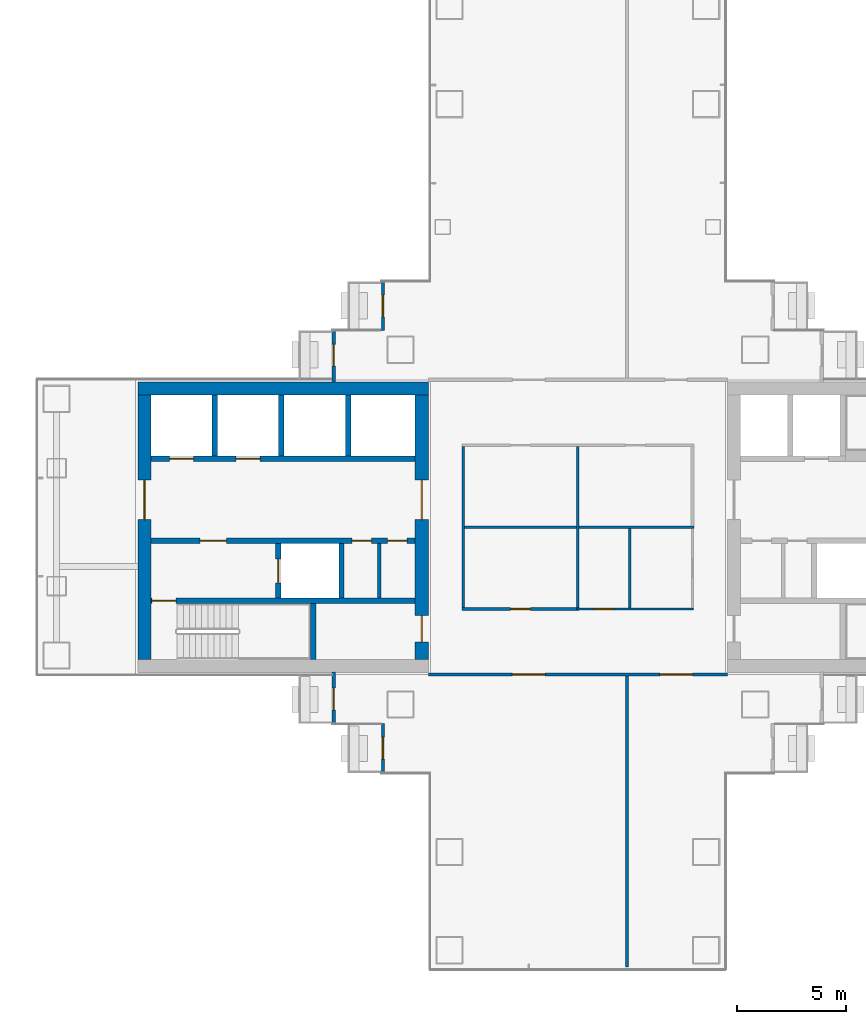
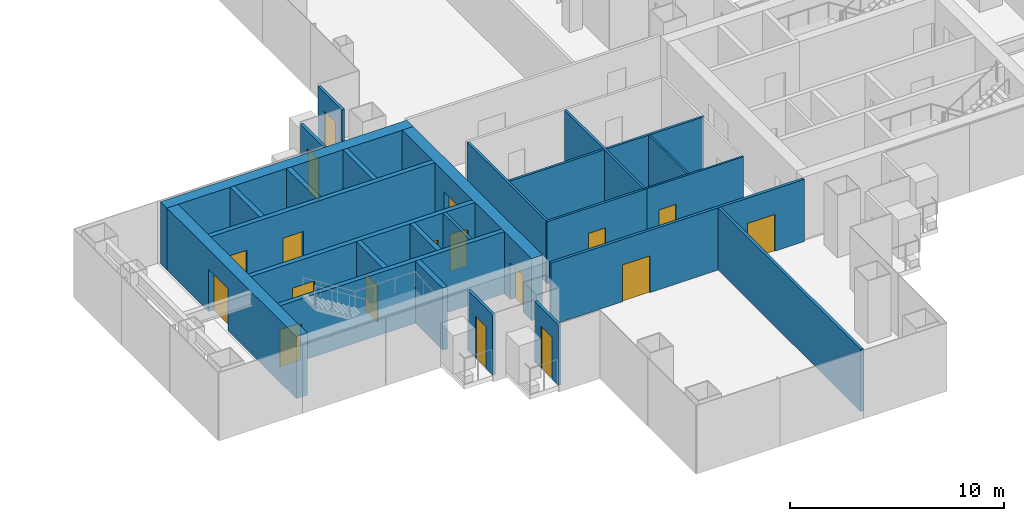
# One storey, part 13 of 19: 25 walls, 18 doors, 18 openings.
"""IFC4 building model written with IfcOpenShell, lengths in metres."""

from ifc_helpers import new_model, si_unit, direction, frame, frame_2d, origin, place, context, subcontext, project, spatial, rectangle, extrude, material, layer, layer_set, type_object, element, fill, save


model = new_model("IFC4")

# Units and contexts
model_context = context("Model", 3, precision=1e-05, world=origin(), true_north=direction((0.0, 1.0)))
body_context = subcontext(model_context, "Body", "Model", "MODEL_VIEW")
ifc_project = project(units=[si_unit("LENGTHUNIT", "METRE"), si_unit("AREAUNIT", "SQUARE_METRE"), si_unit("VOLUMEUNIT", "CUBIC_METRE"), si_unit("PLANEANGLEUNIT", "RADIAN"), si_unit("MASSUNIT", "GRAM", prefix="KILO")], contexts=[model_context])

# Site, building, storey
site_placement = place(None, origin())
site = spatial("IfcSite", under=ifc_project, at=site_placement, CompositionType="ELEMENT")
building_placement = place(site_placement, origin())
building = spatial("IfcBuilding", under=site, at=building_placement, Name="Shamsa Quay Exchange Towers", CompositionType="ELEMENT")
storey_placement = place(building_placement, frame((0.0, 0.0, 89.699951171875)))
storey = spatial("IfcBuildingStorey", under=building, at=storey_placement, Name="L20", CompositionType="ELEMENT", Elevation=89.699951171875)

# Wall, opening, door
ifc_material_1 = material(Name="Aluminium EN AW-6063 T6, black anodised, with black enamelled glass infill", Category="aluminium")
ifc_layer_1 = layer(ifc_material_1, 0.14990234375)
ifc_layer_set_1 = layer_set([ifc_layer_1], Name="BALCONY DOOR BAY WALL 150")
wall_type_1 = type_object("IfcWallType", Name="BALCONY DOOR BAY WALL 150", PredefinedType="SOLIDWALL", material=ifc_layer_set_1)
wall_1_placement = place(storey_placement, frame((24.824951171875, 9.0, 0.0), z_axis=(0.0, 0.0, 1.0), x_axis=(0.0, 1.0, 0.0)))
wall_1 = element("IfcWall", 1, at=wall_1_placement, inside=storey, type_object=wall_type_1, Name="Door bay T2-PKEN L20", PredefinedType="SOLIDWALL", context=body_context, shape_type="SweptSolid", body=[
    extrude(rectangle(XDim=2.25, YDim=0.14990234375, at=frame_2d((1.125, 0.0))), origin(), (0.0, 0.0, 1.0), 3.449951171875),
])
opening_1_placement = place(wall_1_placement, frame((0.625, 0.0, 0.0)))
opening_1 = element("IfcOpeningElement", 2, at=opening_1_placement, cuts=wall_1, Name="Opening XD121", PredefinedType="OPENING", context=body_context, shape_type="SweptSolid", body=[
    extrude(rectangle(XDim=1.0, YDim=2.39990234375, at=frame_2d((0.5, 1.199951171875))), frame((0.0, 0.0849609375, 0.0), z_axis=(0.0, -1.0, 0.0), x_axis=(1.0, 0.0, 0.0)), (0.0, 0.0, 1.0), 0.169921875),
])
ifc_material_2 = material(Name="Aluminium EN AW-6063 T6, black anodised, with laminated glass leaf", Category="aluminium")
door_type_1 = type_object("IfcDoorType", Name="BALCONY DOOR 1000x2400", OperationType="SINGLE_SWING_LEFT", PredefinedType="DOOR", material=ifc_material_2)
door_1_placement = place(opening_1_placement, origin())
door_1 = element("IfcDoor", 3, at=door_1_placement, inside=storey, type_object=door_type_1, Name="Balcony door T2-PKEN L20", OperationType="SINGLE_SWING_RIGHT", OverallHeight=2.39990234375, OverallWidth=1.0, PredefinedType="DOOR", context=body_context, shape_type="SweptSolid", body=[
    extrude(rectangle(XDim=1.0, YDim=2.39990234375, at=frame_2d((0.5, 1.199951171875))), frame((0.0, 0.02490234375, 0.0), z_axis=(0.0, -1.0, 0.0), x_axis=(1.0, 0.0, 0.0)), (0.0, 0.0, 1.0), 0.050048828125),
])
fill(opening_1, door_1)

wall_2_placement = place(storey_placement, frame((22.574951171875, 6.64306640625, 0.0), z_axis=(0.0, 0.0, 1.0), x_axis=(0.0, 1.0, 0.0)))
wall_2 = element("IfcWall", 4, at=wall_2_placement, inside=storey, type_object=wall_type_1, Name="Door bay T2-PKEN L20", PredefinedType="SOLIDWALL", context=body_context, shape_type="SweptSolid", body=[
    extrude(rectangle(XDim=2.35693359375, YDim=0.14990234375, at=frame_2d((1.178466796875, 0.0))), origin(), (0.0, 0.0, 1.0), 3.449951171875),
])
opening_2_placement = place(wall_2_placement, frame((0.73193359375, 0.0, 0.0)))
opening_2 = element("IfcOpeningElement", 5, at=opening_2_placement, cuts=wall_2, Name="Opening XD122", PredefinedType="OPENING", context=body_context, shape_type="SweptSolid", body=[
    extrude(rectangle(XDim=1.0, YDim=2.39990234375, at=frame_2d((0.5, 1.199951171875))), frame((0.0, 0.0849609375, 0.0), z_axis=(0.0, -1.0, 0.0), x_axis=(1.0, 0.0, 0.0)), (0.0, 0.0, 1.0), 0.169921875),
])
door_2_placement = place(opening_2_placement, origin())
door_2 = element("IfcDoor", 6, at=door_2_placement, inside=storey, type_object=door_type_1, Name="Balcony door T2-PKEN L20", OperationType="SINGLE_SWING_LEFT", OverallHeight=2.39990234375, OverallWidth=1.0, PredefinedType="DOOR", context=body_context, shape_type="SweptSolid", body=[
    extrude(rectangle(XDim=1.0, YDim=2.39990234375, at=frame_2d((0.5, 1.199951171875))), frame((0.0, 0.02490234375, 0.0), z_axis=(0.0, -1.0, 0.0), x_axis=(1.0, 0.0, 0.0)), (0.0, 0.0, 1.0), 0.050048828125),
])
fill(opening_2, door_2)

wall_3_placement = place(storey_placement, frame((22.574951171875, -9.0, 0.0), z_axis=(0.0, 0.0, 1.0), x_axis=(0.0, 1.0, 0.0)))
wall_3 = element("IfcWall", 7, at=wall_3_placement, inside=storey, type_object=wall_type_1, Name="Door bay T2-PKWN L20", PredefinedType="SOLIDWALL", context=body_context, shape_type="SweptSolid", body=[
    extrude(rectangle(XDim=2.35693359375, YDim=0.14990234375, at=frame_2d((1.178466796875, 0.0))), origin(), (0.0, 0.0, 1.0), 3.449951171875),
])
opening_3_placement = place(wall_3_placement, frame((0.625, 0.0, 0.0)))
opening_3 = element("IfcOpeningElement", 8, at=opening_3_placement, cuts=wall_3, Name="Opening XD125", PredefinedType="OPENING", context=body_context, shape_type="SweptSolid", body=[
    extrude(rectangle(XDim=1.0, YDim=2.39990234375, at=frame_2d((0.5, 1.199951171875))), frame((0.0, 0.0849609375, 0.0), z_axis=(0.0, -1.0, 0.0), x_axis=(1.0, 0.0, 0.0)), (0.0, 0.0, 1.0), 0.169921875),
])
door_3_placement = place(opening_3_placement, origin())
door_3 = element("IfcDoor", 9, at=door_3_placement, inside=storey, type_object=door_type_1, Name="Balcony door T2-PKWN L20", OperationType="SINGLE_SWING_LEFT", OverallHeight=2.39990234375, OverallWidth=1.0, PredefinedType="DOOR", context=body_context, shape_type="SweptSolid", body=[
    extrude(rectangle(XDim=1.0, YDim=2.39990234375, at=frame_2d((0.5, 1.199951171875))), frame((0.0, 0.02490234375, 0.0), z_axis=(0.0, -1.0, 0.0), x_axis=(1.0, 0.0, 0.0)), (0.0, 0.0, 1.0), 0.050048828125),
])
fill(opening_3, door_3)

wall_4_placement = place(storey_placement, frame((24.824951171875, -11.25, 0.0), z_axis=(0.0, 0.0, 1.0), x_axis=(0.0, 1.0, 0.0)))
wall_4 = element("IfcWall", 10, at=wall_4_placement, inside=storey, type_object=wall_type_1, Name="Door bay T2-PKWN L20", PredefinedType="SOLIDWALL", context=body_context, shape_type="SweptSolid", body=[
    extrude(rectangle(XDim=2.25, YDim=0.14990234375, at=frame_2d((1.125, 0.0))), origin(), (0.0, 0.0, 1.0), 3.449951171875),
])
opening_4_placement = place(wall_4_placement, frame((0.625, 0.0, 0.0)))
opening_4 = element("IfcOpeningElement", 11, at=opening_4_placement, cuts=wall_4, Name="Opening XD126", PredefinedType="OPENING", context=body_context, shape_type="SweptSolid", body=[
    extrude(rectangle(XDim=1.0, YDim=2.39990234375, at=frame_2d((0.5, 1.199951171875))), frame((0.0, 0.0849609375, 0.0), z_axis=(0.0, -1.0, 0.0), x_axis=(1.0, 0.0, 0.0)), (0.0, 0.0, 1.0), 0.169921875),
])
door_4_placement = place(opening_4_placement, origin())
door_4 = element("IfcDoor", 12, at=door_4_placement, inside=storey, type_object=door_type_1, Name="Balcony door T2-PKWN L20", OperationType="SINGLE_SWING_RIGHT", OverallHeight=2.39990234375, OverallWidth=1.0, PredefinedType="DOOR", context=body_context, shape_type="SweptSolid", body=[
    extrude(rectangle(XDim=1.0, YDim=2.39990234375, at=frame_2d((0.5, 1.199951171875))), frame((0.0, 0.02490234375, 0.0), z_axis=(0.0, -1.0, 0.0), x_axis=(1.0, 0.0, 0.0)), (0.0, 0.0, 1.0), 0.050048828125),
])
fill(opening_4, door_4)

# Wall
ifc_material_3 = material(Name="Concrete C70/85", Category="concrete")
ifc_layer_2 = layer(ifc_material_3, 0.60009765625)
ifc_layer_set_2 = layer_set([ifc_layer_2], Name="CORE WALL 600 C70/85")
wall_type_2 = type_object("IfcWallType", Name="CORE WALL 600 C70/85", PredefinedType="SHEAR", material=ifc_layer_set_2)
wall_5_placement = place(storey_placement, frame((13.60009765625, 6.35009765625, 0.0)))
element("IfcWall", 13, at=wall_5_placement, inside=storey, type_object=wall_type_2, Name="Core wall T2A-R09-PN", PredefinedType="SHEAR", context=body_context, shape_type="SweptSolid", body=[
    extrude(rectangle(XDim=13.2998046875, YDim=0.60009765625, at=frame_2d((6.64990234375, 0.0))), origin(), (0.0, 0.0, 1.0), 3.550048828125),
])

# Wall, opening, door
wall_6_placement = place(storey_placement, frame((13.89990234375, 6.050048828125, 0.0), z_axis=(0.0, 0.0, 1.0), x_axis=(0.0, -1.0, 0.0)))
wall_6 = element("IfcWall", 14, at=wall_6_placement, inside=storey, type_object=wall_type_2, Name="Core wall T2A-R09-PF", PredefinedType="SHEAR", context=body_context, shape_type="SweptSolid", body=[
    extrude(rectangle(XDim=12.10009765625, YDim=0.60009765625, at=frame_2d((6.050048828125, 0.0))), origin(), (0.0, 0.0, 1.0), 3.550048828125),
])
opening_5_placement = place(wall_6_placement, frame((3.89990234375, 0.0, 0.0)))
opening_5 = element("IfcOpeningElement", 15, at=opening_5_placement, cuts=wall_6, Name="Opening T2A-R09-LBD01", PredefinedType="OPENING", context=body_context, shape_type="SweptSolid", body=[
    extrude(rectangle(XDim=1.800048828125, YDim=2.39990234375, at=frame_2d((0.89990234375, 1.199951171875))), frame((0.0, 0.31005859375, 0.0), z_axis=(0.0, -1.0, 0.0), x_axis=(1.0, 0.0, 0.0)), (0.0, 0.0, 1.0), 0.6201171875),
])
ifc_material_4 = material(Name="Steel, fire rated", Category="steel")
door_type_2 = type_object("IfcDoorType", Name="LIFT LOBBY DOOR PAIR 1800", OperationType="DOUBLE_DOOR_SINGLE_SWING", PredefinedType="DOOR", material=ifc_material_4)
door_5_placement = place(opening_5_placement, origin())
door_5 = element("IfcDoor", 16, at=door_5_placement, inside=storey, type_object=door_type_2, Name="T2A-R09-LBD01", OperationType="DOUBLE_DOOR_SINGLE_SWING", OverallHeight=2.39990234375, OverallWidth=1.800048828125, PredefinedType="DOOR", context=body_context, shape_type="SweptSolid", body=[
    extrude(rectangle(XDim=1.800048828125, YDim=2.39990234375, at=frame_2d((0.89990234375, 1.199951171875))), frame((0.0, 0.02490234375, 0.0), z_axis=(0.0, -1.0, 0.0), x_axis=(1.0, 0.0, 0.0)), (0.0, 0.0, 1.0), 0.050048828125),
])
fill(opening_5, door_5)

# Wall, openings, doors
wall_7_placement = place(storey_placement, frame((26.60009765625, 6.050048828125, 0.0), z_axis=(0.0, 0.0, 1.0), x_axis=(0.0, -1.0, 0.0)))
wall_7 = element("IfcWall", 17, at=wall_7_placement, inside=storey, type_object=wall_type_2, Name="Core wall T2A-R09-PB", PredefinedType="SHEAR", context=body_context, shape_type="SweptSolid", body=[
    extrude(rectangle(XDim=12.10009765625, YDim=0.60009765625, at=frame_2d((6.050048828125, 0.0))), origin(), (0.0, 0.0, 1.0), 3.550048828125),
])
opening_6_placement = place(wall_7_placement, frame((10.10009765625, 0.0, 0.0)))
opening_6 = element("IfcOpeningElement", 18, at=opening_6_placement, cuts=wall_7, Name="Opening T2A-R09-RD02", PredefinedType="OPENING", context=body_context, shape_type="SweptSolid", body=[
    extrude(rectangle(XDim=1.199951171875, YDim=2.10009765625, at=frame_2d((0.60009765625, 1.050048828125))), frame((0.0, 0.31005859375, 0.0), z_axis=(0.0, -1.0, 0.0), x_axis=(1.0, 0.0, 0.0)), (0.0, 0.0, 1.0), 0.6201171875),
])
opening_7_placement = place(wall_7_placement, frame((3.89990234375, 0.0, 0.0)))
opening_7 = element("IfcOpeningElement", 19, at=opening_7_placement, cuts=wall_7, Name="Opening T2A-R09-LBD03", PredefinedType="OPENING", context=body_context, shape_type="SweptSolid", body=[
    extrude(rectangle(XDim=1.800048828125, YDim=2.39990234375, at=frame_2d((0.89990234375, 1.199951171875))), frame((0.0, 0.31005859375, 0.0), z_axis=(0.0, -1.0, 0.0), x_axis=(1.0, 0.0, 0.0)), (0.0, 0.0, 1.0), 0.6201171875),
])
door_6_placement = place(opening_7_placement, origin())
door_6 = element("IfcDoor", 20, at=door_6_placement, inside=storey, type_object=door_type_2, Name="T2A-R09-LBD03", OperationType="DOUBLE_DOOR_SINGLE_SWING", OverallHeight=2.39990234375, OverallWidth=1.800048828125, PredefinedType="DOOR", context=body_context, shape_type="SweptSolid", body=[
    extrude(rectangle(XDim=1.800048828125, YDim=2.39990234375, at=frame_2d((0.89990234375, 1.199951171875))), frame((0.0, 0.02490234375, 0.0), z_axis=(0.0, -1.0, 0.0), x_axis=(1.0, 0.0, 0.0)), (0.0, 0.0, 1.0), 0.050048828125),
])
fill(opening_7, door_6)
door_type_3 = type_object("IfcDoorType", Name="RISER ACCESS DOOR 1200", OperationType="SINGLE_SWING_LEFT", PredefinedType="DOOR", material=ifc_material_4)
door_7_placement = place(opening_6_placement, origin())
door_7 = element("IfcDoor", 21, at=door_7_placement, inside=storey, type_object=door_type_3, Name="T2A-R09-RD02", OperationType="SINGLE_SWING_RIGHT", OverallHeight=2.10009765625, OverallWidth=1.199951171875, PredefinedType="DOOR", context=body_context, shape_type="SweptSolid", body=[
    extrude(rectangle(XDim=1.199951171875, YDim=2.10009765625, at=frame_2d((0.60009765625, 1.050048828125))), frame((0.0, 0.02490234375, 0.0), z_axis=(0.0, -1.0, 0.0), x_axis=(1.0, 0.0, 0.0)), (0.0, 0.0, 1.0), 0.050048828125),
])
fill(opening_6, door_7)

# Walls
ifc_material_5 = material(Name="Gypsum board on steel studs, EI 60", Category="steel")
ifc_layer_3 = layer(ifc_material_5, 0.14990234375)
ifc_layer_set_3 = layer_set([ifc_layer_3], Name="FIRE PARTITION 150")
wall_type_3 = type_object("IfcWallType", Name="FIRE PARTITION 150", PredefinedType="PARTITIONING", material=ifc_layer_set_3)
wall_8_placement = place(storey_placement, frame((24.64990234375, -3.25, 0.0), z_axis=(0.0, 0.0, 1.0), x_axis=(0.0, 1.0, 0.0)))
element("IfcWall", 22, at=wall_8_placement, inside=storey, type_object=wall_type_3, Name="Partition T2A-R09-EC0", PredefinedType="PARTITIONING", context=body_context, shape_type="SweptSolid", body=[
    extrude(rectangle(XDim=2.5, YDim=0.14990234375, at=frame_2d((1.25, 0.0))), origin(), (0.0, 0.0, 1.0), 3.550048828125),
])
ifc_material_6 = material(Name="Laminated fire-resisting glass in a metal frame", Category="glass")
ifc_layer_4 = layer(ifc_material_6, 0.125)
ifc_layer_set_4 = layer_set([ifc_layer_4], Name="Glazed partition 125 mm EI 60")
wall_type_4 = type_object("IfcWallType", Name="Glazed partition 125 mm EI 60", PredefinedType="PARTITIONING", material=ifc_layer_set_4)
wall_9_placement = place(storey_placement, frame((28.5, 3.6875, 0.0), z_axis=(0.0, 0.0, 1.0), x_axis=(0.0, -1.0, 0.0)))
element("IfcWall", 23, at=wall_9_placement, inside=storey, type_object=wall_type_4, Name="Partition T2-R09-W01", PredefinedType="PARTITIONING", context=body_context, shape_type="SweptSolid", body=[
    extrude(rectangle(XDim=7.375, YDim=0.125, at=frame_2d((3.6875, 0.0))), origin(), (0.0, 0.0, 1.0), 3.550048828125),
])

# Wall, opening, door
wall_10_placement = place(storey_placement, frame((28.4375, -3.75, 0.0)))
wall_10 = element("IfcWall", 24, at=wall_10_placement, inside=storey, type_object=wall_type_4, Name="Partition T2-R09-W03", PredefinedType="PARTITIONING", context=body_context, shape_type="SweptSolid", body=[
    extrude(rectangle(XDim=5.375, YDim=0.125, at=frame_2d((2.6875, 0.0))), origin(), (0.0, 0.0, 1.0), 3.550048828125),
])
opening_8_placement = place(wall_10_placement, frame((2.237548828125, 0.0, 0.0)))
opening_8 = element("IfcOpeningElement", 25, at=opening_8_placement, cuts=wall_10, Name="Opening T2-R09-D05", PredefinedType="OPENING", context=body_context, shape_type="SweptSolid", body=[
    extrude(rectangle(XDim=0.89990234375, YDim=2.10009765625, at=frame_2d((0.449951171875, 1.050048828125))), frame((0.0, 0.072509765625, 0.0), z_axis=(0.0, -1.0, 0.0), x_axis=(1.0, 0.0, 0.0)), (0.0, 0.0, 1.0), 0.14501953125),
])
ifc_material_7 = material(Name="Timber door leaf in a metal frame", Category="wood")
door_type_4 = type_object("IfcDoorType", Name="Door 900x2100 FD30S", OperationType="NOTDEFINED", PredefinedType="DOOR", material=ifc_material_7)
door_8_placement = place(opening_8_placement, origin())
door_8 = element("IfcDoor", 26, at=door_8_placement, inside=storey, type_object=door_type_4, Name="Door T2-R09-D05", OperationType="SINGLE_SWING_LEFT", OverallHeight=2.10009765625, OverallWidth=0.89990234375, PredefinedType="DOOR", context=body_context, shape_type="SweptSolid", body=[
    extrude(rectangle(XDim=0.89990234375, YDim=2.10009765625, at=frame_2d((0.449951171875, 1.050048828125))), frame((0.0, 0.02490234375, 0.0), z_axis=(0.0, -1.0, 0.0), x_axis=(1.0, 0.0, 0.0)), (0.0, 0.0, 1.0), 0.050048828125),
])
fill(opening_8, door_8)

# Walls
wall_11_placement = place(storey_placement, frame((28.5625, 0.0, 0.0)))
element("IfcWall", 27, at=wall_11_placement, inside=storey, type_object=wall_type_4, Name="Partition T2-R09-W09", PredefinedType="PARTITIONING", context=body_context, shape_type="SweptSolid", body=[
    extrude(rectangle(XDim=10.5, YDim=0.125, at=frame_2d((5.25, 0.0))), origin(), (0.0, 0.0, 1.0), 3.550048828125),
])
wall_12_placement = place(storey_placement, frame((33.75, -3.6875, 0.0), z_axis=(0.0, 0.0, 1.0), x_axis=(0.0, 1.0, 0.0)))
element("IfcWall", 28, at=wall_12_placement, inside=storey, type_object=wall_type_4, Name="Partition T2-R09-W10", PredefinedType="PARTITIONING", context=body_context, shape_type="SweptSolid", body=[
    extrude(rectangle(XDim=7.375, YDim=0.125, at=frame_2d((3.6875, 0.0))), origin(), (0.0, 0.0, 1.0), 3.550048828125),
])

# Wall, opening, door
ifc_material_8 = material(Name="Gypsum board partition on metal studs")
ifc_layer_5 = layer(ifc_material_8, 0.10009765625)
ifc_layer_set_5 = layer_set([ifc_layer_5], Name="Partition 100 mm NOT RATED")
wall_type_5 = type_object("IfcWallType", Name="Partition 100 mm NOT RATED", PredefinedType="PARTITIONING", material=ifc_layer_set_5)
wall_13_placement = place(storey_placement, frame((33.6875, -3.75, 0.0)))
wall_13 = element("IfcWall", 29, at=wall_13_placement, inside=storey, type_object=wall_type_5, Name="Partition T2-R09-W06", PredefinedType="PARTITIONING", context=body_context, shape_type="SweptSolid", body=[
    extrude(rectangle(XDim=5.362548828125, YDim=0.10009765625, at=frame_2d((2.68115234375, 0.0))), origin(), (0.0, 0.0, 1.0), 3.550048828125),
])
opening_9_placement = place(wall_13_placement, frame((0.800048828125, 0.0, 0.0)))
opening_9 = element("IfcOpeningElement", 30, at=opening_9_placement, cuts=wall_13, Name="Opening T2-R09-D03", PredefinedType="OPENING", context=body_context, shape_type="SweptSolid", body=[
    extrude(rectangle(XDim=0.89990234375, YDim=2.10009765625, at=frame_2d((0.449951171875, 1.050048828125))), frame((0.0, 0.06005859375, 0.0), z_axis=(0.0, -1.0, 0.0), x_axis=(1.0, 0.0, 0.0)), (0.0, 0.0, 1.0), 0.1201171875),
])
door_type_5 = type_object("IfcDoorType", Name="Door 900x2100 NOT RATED", OperationType="NOTDEFINED", PredefinedType="DOOR", material=ifc_material_7)
door_9_placement = place(opening_9_placement, origin())
door_9 = element("IfcDoor", 31, at=door_9_placement, inside=storey, type_object=door_type_5, Name="Door T2-R09-D03", OperationType="SINGLE_SWING_RIGHT", OverallHeight=2.10009765625, OverallWidth=0.89990234375, PredefinedType="DOOR", context=body_context, shape_type="SweptSolid", body=[
    extrude(rectangle(XDim=0.89990234375, YDim=2.10009765625, at=frame_2d((0.449951171875, 1.050048828125))), frame((0.0, 0.02490234375, 0.0), z_axis=(0.0, -1.0, 0.0), x_axis=(1.0, 0.0, 0.0)), (0.0, 0.0, 1.0), 0.050048828125),
])
fill(opening_9, door_9)

# Wall
wall_14_placement = place(storey_placement, frame((36.125, -0.0625, 0.0), z_axis=(0.0, 0.0, 1.0), x_axis=(0.0, -1.0, 0.0)))
element("IfcWall", 32, at=wall_14_placement, inside=storey, type_object=wall_type_5, Name="Partition T2-R09-W11", PredefinedType="PARTITIONING", context=body_context, shape_type="SweptSolid", body=[
    extrude(rectangle(XDim=3.637451171875, YDim=0.10009765625, at=frame_2d((1.81884765625, 0.0))), origin(), (0.0, 0.0, 1.0), 3.550048828125),
])

# Wall, openings, doors
ifc_layer_6 = layer(ifc_material_8, 0.14990234375)
ifc_layer_set_6 = layer_set([ifc_layer_6], Name="Partition 150 mm EI 60")
wall_type_6 = type_object("IfcWallType", Name="Partition 150 mm EI 60", PredefinedType="PARTITIONING", material=ifc_layer_set_6)
wall_15_placement = place(storey_placement, frame((40.60009765625, -6.75, 0.0), z_axis=(0.0, 0.0, 1.0), x_axis=(-1.0, 0.0, 0.0)))
wall_15 = element("IfcWall", 33, at=wall_15_placement, inside=storey, type_object=wall_type_6, Name="Partition T2-R09-W08", PredefinedType="PARTITIONING", context=body_context, shape_type="SweptSolid", body=[
    extrude(rectangle(XDim=13.7001953125, YDim=0.14990234375, at=frame_2d((6.85009765625, 0.0))), origin(), (0.0, 0.0, 1.0), 3.550048828125),
])
opening_10_placement = place(wall_15_placement, frame((8.35009765625, 0.0, 0.0)))
opening_10 = element("IfcOpeningElement", 34, at=opening_10_placement, cuts=wall_15, Name="Opening T2-R09-D08", PredefinedType="OPENING", context=body_context, shape_type="SweptSolid", body=[
    extrude(rectangle(XDim=1.5, YDim=2.10009765625, at=frame_2d((0.75, 1.050048828125))), frame((0.0, 0.0849609375, 0.0), z_axis=(0.0, -1.0, 0.0), x_axis=(1.0, 0.0, 0.0)), (0.0, 0.0, 1.0), 0.169921875),
])
opening_11_placement = place(wall_15_placement, frame((1.60009765625, 0.0, 0.0)))
opening_11 = element("IfcOpeningElement", 35, at=opening_11_placement, cuts=wall_15, Name="Opening T2-R09-D09", PredefinedType="OPENING", context=body_context, shape_type="SweptSolid", body=[
    extrude(rectangle(XDim=1.5, YDim=2.10009765625, at=frame_2d((0.75, 1.050048828125))), frame((0.0, 0.0849609375, 0.0), z_axis=(0.0, -1.0, 0.0), x_axis=(1.0, 0.0, 0.0)), (0.0, 0.0, 1.0), 0.169921875),
])
door_type_6 = type_object("IfcDoorType", Name="Door 1500x2100 FD30S pair", OperationType="NOTDEFINED", PredefinedType="DOOR", material=ifc_material_7)
door_10_placement = place(opening_10_placement, origin())
door_10 = element("IfcDoor", 36, at=door_10_placement, inside=storey, type_object=door_type_6, Name="Door T2-R09-D08", OperationType="DOUBLE_DOOR_SINGLE_SWING", OverallHeight=2.10009765625, OverallWidth=1.5, PredefinedType="DOOR", context=body_context, shape_type="SweptSolid", body=[
    extrude(rectangle(XDim=1.5, YDim=2.10009765625, at=frame_2d((0.75, 1.050048828125))), frame((0.0, 0.02490234375, 0.0), z_axis=(0.0, -1.0, 0.0), x_axis=(1.0, 0.0, 0.0)), (0.0, 0.0, 1.0), 0.050048828125),
])
fill(opening_10, door_10)
door_11_placement = place(opening_11_placement, origin())
door_11 = element("IfcDoor", 37, at=door_11_placement, inside=storey, type_object=door_type_6, Name="Door T2-R09-D09", OperationType="DOUBLE_DOOR_SINGLE_SWING", OverallHeight=2.10009765625, OverallWidth=1.5, PredefinedType="DOOR", context=body_context, shape_type="SweptSolid", body=[
    extrude(rectangle(XDim=1.5, YDim=2.10009765625, at=frame_2d((0.75, 1.050048828125))), frame((0.0, 0.02490234375, 0.0), z_axis=(0.0, -1.0, 0.0), x_axis=(1.0, 0.0, 0.0)), (0.0, 0.0, 1.0), 0.050048828125),
])
fill(opening_11, door_11)

# Wall
wall_16_placement = place(storey_placement, frame((36.0, -6.824951171875, 0.0), z_axis=(0.0, 0.0, 1.0), x_axis=(0.0, -1.0, 0.0)))
element("IfcWall", 38, at=wall_16_placement, inside=storey, type_object=wall_type_6, Name="Partition T2-R09-W12", PredefinedType="PARTITIONING", context=body_context, shape_type="SweptSolid", body=[
    extrude(rectangle(XDim=13.330078125, YDim=0.14990234375, at=frame_2d((6.6650390625, 0.0))), origin(), (0.0, 0.0, 1.0), 3.550048828125),
])

# Wall, opening, door
ifc_material_9 = material(Name="Concrete C50/60", Category="concrete")
ifc_layer_7 = layer(ifc_material_9, 0.25)
ifc_layer_set_7 = layer_set([ifc_layer_7], Name="SHAFT WALL 250 C50/60")
wall_type_7 = type_object("IfcWallType", Name="SHAFT WALL 250 C50/60", PredefinedType="SHEAR", material=ifc_layer_set_7)
wall_17_placement = place(storey_placement, frame((26.300048828125, -3.375, 0.0), z_axis=(0.0, 0.0, 1.0), x_axis=(-1.0, 0.0, 0.0)))
wall_17 = element("IfcWall", 39, at=wall_17_placement, inside=storey, type_object=wall_type_7, Name="Shaft wall T2A-R09-STL", PredefinedType="SHEAR", context=body_context, shape_type="SweptSolid", body=[
    extrude(rectangle(XDim=12.10009765625, YDim=0.25, at=frame_2d((6.050048828125, 0.0))), origin(), (0.0, 0.0, 1.0), 3.550048828125),
])
opening_12_placement = place(wall_17_placement, frame((10.949951171875, 0.0, 0.0)))
opening_12 = element("IfcOpeningElement", 40, at=opening_12_placement, cuts=wall_17, Name="Opening T2A-R09-SD04", PredefinedType="OPENING", context=body_context, shape_type="SweptSolid", body=[
    extrude(rectangle(XDim=1.10009765625, YDim=2.10009765625, at=frame_2d((0.550048828125, 1.050048828125))), frame((0.0, 0.135009765625, 0.0), z_axis=(0.0, -1.0, 0.0), x_axis=(1.0, 0.0, 0.0)), (0.0, 0.0, 1.0), 0.27001953125),
])
door_type_7 = type_object("IfcDoorType", Name="STAIR DOOR 1100", OperationType="SINGLE_SWING_LEFT", PredefinedType="DOOR", material=ifc_material_4)
door_12_placement = place(opening_12_placement, origin())
door_12 = element("IfcDoor", 41, at=door_12_placement, inside=storey, type_object=door_type_7, Name="T2A-R09-SD04", OperationType="SINGLE_SWING_RIGHT", OverallHeight=2.10009765625, OverallWidth=1.10009765625, PredefinedType="DOOR", context=body_context, shape_type="SweptSolid", body=[
    extrude(rectangle(XDim=1.10009765625, YDim=2.10009765625, at=frame_2d((0.550048828125, 1.050048828125))), frame((0.0, 0.02490234375, 0.0), z_axis=(0.0, -1.0, 0.0), x_axis=(1.0, 0.0, 0.0)), (0.0, 0.0, 1.0), 0.050048828125),
])
fill(opening_12, door_12)

# Wall
wall_18_placement = place(storey_placement, frame((21.625, -6.050048828125, 0.0), z_axis=(0.0, 0.0, 1.0), x_axis=(0.0, 1.0, 0.0)))
element("IfcWall", 42, at=wall_18_placement, inside=storey, type_object=wall_type_7, Name="Shaft wall T2A-R09-STF", PredefinedType="SHEAR", context=body_context, shape_type="SweptSolid", body=[
    extrude(rectangle(XDim=2.550048828125, YDim=0.25, at=frame_2d((1.27490234375, 0.0))), origin(), (0.0, 0.0, 1.0), 3.550048828125),
])

# Wall, openings, doors
wall_19_placement = place(storey_placement, frame((26.300048828125, -0.625, 0.0), z_axis=(0.0, 0.0, 1.0), x_axis=(-1.0, 0.0, 0.0)))
wall_19 = element("IfcWall", 43, at=wall_19_placement, inside=storey, type_object=wall_type_7, Name="Shaft wall T2A-R09-B", PredefinedType="SHEAR", context=body_context, shape_type="SweptSolid", body=[
    extrude(rectangle(XDim=12.10009765625, YDim=0.25, at=frame_2d((6.050048828125, 0.0))), origin(), (0.0, 0.0, 1.0), 3.550048828125),
])
opening_13_placement = place(wall_19_placement, frame((8.64990234375, 0.0, 0.0)))
opening_13 = element("IfcOpeningElement", 44, at=opening_13_placement, cuts=wall_19, Name="Opening T2A-R09-FD05", PredefinedType="OPENING", context=body_context, shape_type="SweptSolid", body=[
    extrude(rectangle(XDim=1.199951171875, YDim=2.10009765625, at=frame_2d((0.60009765625, 1.050048828125))), frame((0.0, 0.135009765625, 0.0), z_axis=(0.0, -1.0, 0.0), x_axis=(1.0, 0.0, 0.0)), (0.0, 0.0, 1.0), 0.27001953125),
])
opening_14_placement = place(wall_19_placement, frame((2.0, 0.0, 0.0)))
opening_14 = element("IfcOpeningElement", 45, at=opening_14_placement, cuts=wall_19, Name="Opening T2A-R09-SV06", PredefinedType="OPENING", context=body_context, shape_type="SweptSolid", body=[
    extrude(rectangle(XDim=0.89990234375, YDim=2.10009765625, at=frame_2d((0.449951171875, 1.050048828125))), frame((0.0, 0.135009765625, 0.0), z_axis=(0.0, -1.0, 0.0), x_axis=(1.0, 0.0, 0.0)), (0.0, 0.0, 1.0), 0.27001953125),
])
opening_15_placement = place(wall_19_placement, frame((0.375, 0.0, 0.0)))
opening_15 = element("IfcOpeningElement", 46, at=opening_15_placement, cuts=wall_19, Name="Opening T2A-R09-SV07", PredefinedType="OPENING", context=body_context, shape_type="SweptSolid", body=[
    extrude(rectangle(XDim=0.89990234375, YDim=2.10009765625, at=frame_2d((0.449951171875, 1.050048828125))), frame((0.0, 0.135009765625, 0.0), z_axis=(0.0, -1.0, 0.0), x_axis=(1.0, 0.0, 0.0)), (0.0, 0.0, 1.0), 0.27001953125),
])
door_type_8 = type_object("IfcDoorType", Name="FIRE SERVICE LOBBY DOOR 1200", OperationType="SINGLE_SWING_LEFT", PredefinedType="DOOR", material=ifc_material_4)
door_13_placement = place(opening_13_placement, origin())
door_13 = element("IfcDoor", 47, at=door_13_placement, inside=storey, type_object=door_type_8, Name="T2A-R09-FD05", OperationType="SINGLE_SWING_RIGHT", OverallHeight=2.10009765625, OverallWidth=1.199951171875, PredefinedType="DOOR", context=body_context, shape_type="SweptSolid", body=[
    extrude(rectangle(XDim=1.199951171875, YDim=2.10009765625, at=frame_2d((0.60009765625, 1.050048828125))), frame((0.0, 0.02490234375, 0.0), z_axis=(0.0, -1.0, 0.0), x_axis=(1.0, 0.0, 0.0)), (0.0, 0.0, 1.0), 0.050048828125),
])
fill(opening_13, door_13)
door_type_9 = type_object("IfcDoorType", Name="SERVICE ROOM DOOR 900", OperationType="SINGLE_SWING_LEFT", PredefinedType="DOOR", material=ifc_material_4)
door_14_placement = place(opening_14_placement, origin())
door_14 = element("IfcDoor", 48, at=door_14_placement, inside=storey, type_object=door_type_9, Name="T2A-R09-SV06", OperationType="SINGLE_SWING_LEFT", OverallHeight=2.10009765625, OverallWidth=0.89990234375, PredefinedType="DOOR", context=body_context, shape_type="SweptSolid", body=[
    extrude(rectangle(XDim=0.89990234375, YDim=2.10009765625, at=frame_2d((0.449951171875, 1.050048828125))), frame((0.0, 0.02490234375, 0.0), z_axis=(0.0, -1.0, 0.0), x_axis=(1.0, 0.0, 0.0)), (0.0, 0.0, 1.0), 0.050048828125),
])
fill(opening_14, door_14)
door_15_placement = place(opening_15_placement, origin())
door_15 = element("IfcDoor", 49, at=door_15_placement, inside=storey, type_object=door_type_9, Name="T2A-R09-SV07", OperationType="SINGLE_SWING_LEFT", OverallHeight=2.10009765625, OverallWidth=0.89990234375, PredefinedType="DOOR", context=body_context, shape_type="SweptSolid", body=[
    extrude(rectangle(XDim=0.89990234375, YDim=2.10009765625, at=frame_2d((0.449951171875, 1.050048828125))), frame((0.0, 0.02490234375, 0.0), z_axis=(0.0, -1.0, 0.0), x_axis=(1.0, 0.0, 0.0)), (0.0, 0.0, 1.0), 0.050048828125),
])
fill(opening_15, door_15)

# Wall, opening, door
wall_20_placement = place(storey_placement, frame((20.02490234375, -3.25, 0.0), z_axis=(0.0, 0.0, 1.0), x_axis=(0.0, 1.0, 0.0)))
wall_20 = element("IfcWall", 50, at=wall_20_placement, inside=storey, type_object=wall_type_7, Name="Shaft wall T2A-R09-FFF", PredefinedType="SHEAR", context=body_context, shape_type="SweptSolid", body=[
    extrude(rectangle(XDim=2.5, YDim=0.25, at=frame_2d((1.25, 0.0))), origin(), (0.0, 0.0, 1.0), 3.550048828125),
])
opening_16_placement = place(wall_20_placement, frame((0.699951171875, 0.0, 0.0)))
opening_16 = element("IfcOpeningElement", 51, at=opening_16_placement, cuts=wall_20, Name="Opening T2A-R09-LDF08", PredefinedType="OPENING", context=body_context, shape_type="SweptSolid", body=[
    extrude(rectangle(XDim=1.10009765625, YDim=2.10009765625, at=frame_2d((0.550048828125, 1.050048828125))), frame((0.0, 0.135009765625, 0.0), z_axis=(0.0, -1.0, 0.0), x_axis=(1.0, 0.0, 0.0)), (0.0, 0.0, 1.0), 0.27001953125),
])
door_type_10 = type_object("IfcDoorType", Name="FIRE SERVICE LANDING DOOR 1100", OperationType="SLIDING_TO_LEFT", PredefinedType="DOOR", material=ifc_material_4)
door_16_placement = place(opening_16_placement, origin())
door_16 = element("IfcDoor", 52, at=door_16_placement, inside=storey, type_object=door_type_10, Name="T2A-R09-LDF08", OperationType="SLIDING_TO_LEFT", OverallHeight=2.10009765625, OverallWidth=1.10009765625, PredefinedType="DOOR", context=body_context, shape_type="SweptSolid", body=[
    extrude(rectangle(XDim=1.10009765625, YDim=2.10009765625, at=frame_2d((0.550048828125, 1.050048828125))), frame((0.0, 0.02490234375, 0.0), z_axis=(0.0, -1.0, 0.0), x_axis=(1.0, 0.0, 0.0)), (0.0, 0.0, 1.0), 0.050048828125),
])
fill(opening_16, door_16)

# Wall
wall_21_placement = place(storey_placement, frame((22.925048828125, -3.25, 0.0), z_axis=(0.0, 0.0, 1.0), x_axis=(0.0, 1.0, 0.0)))
element("IfcWall", 53, at=wall_21_placement, inside=storey, type_object=wall_type_7, Name="Shaft wall T2A-R09-FFB", PredefinedType="SHEAR", context=body_context, shape_type="SweptSolid", body=[
    extrude(rectangle(XDim=2.5, YDim=0.25, at=frame_2d((1.25, 0.0))), origin(), (0.0, 0.0, 1.0), 3.550048828125),
])

# Wall, openings, doors
wall_22_placement = place(storey_placement, frame((14.199951171875, 3.125, 0.0)))
wall_22 = element("IfcWall", 54, at=wall_22_placement, inside=storey, type_object=wall_type_7, Name="Shaft wall T2A-R09-N", PredefinedType="SHEAR", context=body_context, shape_type="SweptSolid", body=[
    extrude(rectangle(XDim=12.10009765625, YDim=0.25, at=frame_2d((6.050048828125, 0.0))), origin(), (0.0, 0.0, 1.0), 3.550048828125),
])
opening_17_placement = place(wall_22_placement, frame((0.85009765625, 0.0, 0.0)))
opening_17 = element("IfcOpeningElement", 55, at=opening_17_placement, cuts=wall_22, Name="Opening T2A-R09-LD09", PredefinedType="OPENING", context=body_context, shape_type="SweptSolid", body=[
    extrude(rectangle(XDim=1.10009765625, YDim=2.10009765625, at=frame_2d((0.550048828125, 1.050048828125))), frame((0.0, 0.135009765625, 0.0), z_axis=(0.0, -1.0, 0.0), x_axis=(1.0, 0.0, 0.0)), (0.0, 0.0, 1.0), 0.27001953125),
])
opening_18_placement = place(wall_22_placement, frame((3.89990234375, 0.0, 0.0)))
opening_18 = element("IfcOpeningElement", 56, at=opening_18_placement, cuts=wall_22, Name="Opening T2A-R09-LD10", PredefinedType="OPENING", context=body_context, shape_type="SweptSolid", body=[
    extrude(rectangle(XDim=1.10009765625, YDim=2.10009765625, at=frame_2d((0.550048828125, 1.050048828125))), frame((0.0, 0.135009765625, 0.0), z_axis=(0.0, -1.0, 0.0), x_axis=(1.0, 0.0, 0.0)), (0.0, 0.0, 1.0), 0.27001953125),
])
door_type_11 = type_object("IfcDoorType", Name="LANDING DOOR 1100", OperationType="SLIDING_TO_LEFT", PredefinedType="DOOR", material=ifc_material_4)
door_17_placement = place(opening_17_placement, origin())
door_17 = element("IfcDoor", 57, at=door_17_placement, inside=storey, type_object=door_type_11, Name="T2A-R09-LD09", OperationType="SLIDING_TO_LEFT", OverallHeight=2.10009765625, OverallWidth=1.10009765625, PredefinedType="DOOR", context=body_context, shape_type="SweptSolid", body=[
    extrude(rectangle(XDim=1.10009765625, YDim=2.10009765625, at=frame_2d((0.550048828125, 1.050048828125))), frame((0.0, 0.02490234375, 0.0), z_axis=(0.0, -1.0, 0.0), x_axis=(1.0, 0.0, 0.0)), (0.0, 0.0, 1.0), 0.050048828125),
])
fill(opening_17, door_17)
door_18_placement = place(opening_18_placement, origin())
door_18 = element("IfcDoor", 58, at=door_18_placement, inside=storey, type_object=door_type_11, Name="T2A-R09-LD10", OperationType="SLIDING_TO_LEFT", OverallHeight=2.10009765625, OverallWidth=1.10009765625, PredefinedType="DOOR", context=body_context, shape_type="SweptSolid", body=[
    extrude(rectangle(XDim=1.10009765625, YDim=2.10009765625, at=frame_2d((0.550048828125, 1.050048828125))), frame((0.0, 0.02490234375, 0.0), z_axis=(0.0, -1.0, 0.0), x_axis=(1.0, 0.0, 0.0)), (0.0, 0.0, 1.0), 0.050048828125),
])
fill(opening_18, door_18)

# Walls
for number, where, z_axis, x_axis, name in (
    (59, (17.125, 3.25, 0.0), (0.0, 0.0, 1.0), (0.0, 1.0, 0.0), "Shaft wall T2A-R09-D0"),
    (60, (20.175048828125, 3.25, 0.0), (0.0, 0.0, 1.0), (0.0, 1.0, 0.0), "Shaft wall T2A-R09-D1"),
    (61, (23.22509765625, 3.25, 0.0), (0.0, 0.0, 1.0), (0.0, 1.0, 0.0), "Shaft wall T2A-R09-D2"),
):
    element("IfcWall", number, at=place(storey_placement, frame(where, z_axis=z_axis, x_axis=x_axis)), inside=storey, type_object=wall_type_7, Name=name, PredefinedType="SHEAR", context=body_context, shape_type="SweptSolid", body=[
        extrude(rectangle(XDim=2.800048828125, YDim=0.25, at=frame_2d((1.39990234375, 0.0))), origin(), (0.0, 0.0, 1.0), 3.550048828125),
    ])

save(model, "model.ifc")
